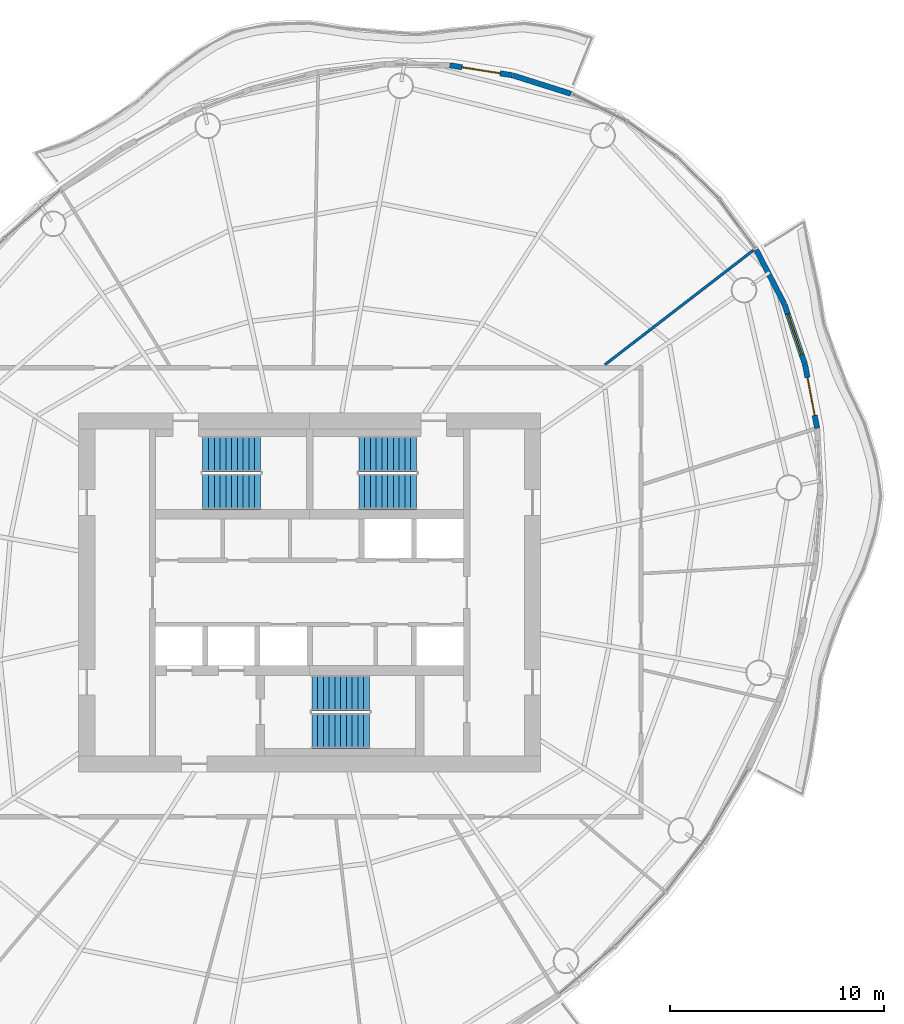
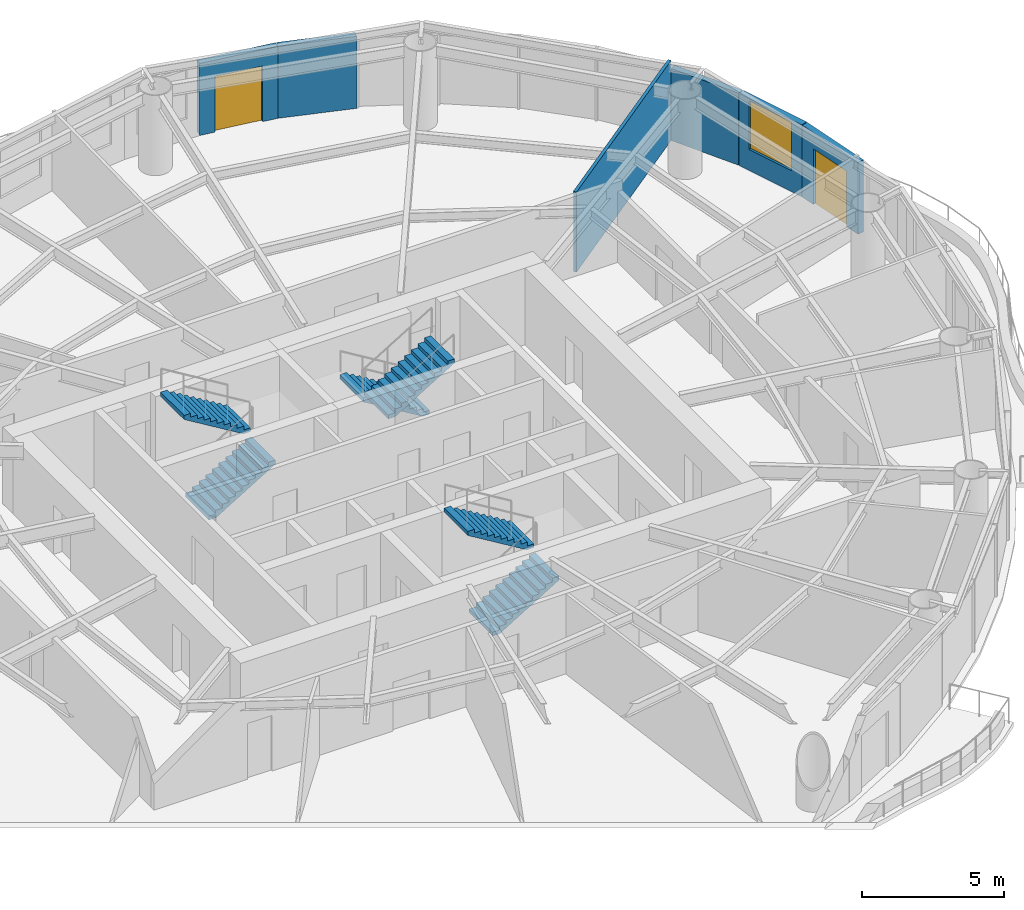
# One storey, part 11 of 14: 6 stair flights, 6 walls, 2 doors, 1 window, 3 openings, 3 elements without a shape of their own.
"""IFC4 building model written with IfcOpenShell, lengths in metres."""

from ifc_helpers import new_model, si_unit, direction, frame, frame_2d, origin, place, context, subcontext, project, spatial, polyline, rectangle, outline, extrude, material, layer, layer_set, type_object, element, fill, aggregate, save


model = new_model("IFC4")

# Units and contexts
model_context = context("Model", 3, precision=1e-05, world=origin(), true_north=direction((0.0, 1.0)))
body_context = subcontext(model_context, "Body", "Model", "MODEL_VIEW")
ifc_project = project(units=[si_unit("LENGTHUNIT", "METRE"), si_unit("AREAUNIT", "SQUARE_METRE"), si_unit("VOLUMEUNIT", "CUBIC_METRE"), si_unit("PLANEANGLEUNIT", "RADIAN"), si_unit("MASSUNIT", "GRAM", prefix="KILO")], contexts=[model_context])

# Site, building, storey
site_placement = place(None, origin())
site = spatial("IfcSite", under=ifc_project, at=site_placement, CompositionType="ELEMENT")
building_placement = place(site_placement, origin())
building = spatial("IfcBuilding", under=site, at=building_placement, Name="Vermilion Reach Broadcast Tower", CompositionType="ELEMENT")
storey_placement = place(building_placement, frame((0.0, 0.0, 231.699951171875)))
storey = spatial("IfcBuildingStorey", under=building, at=storey_placement, Name="L57", CompositionType="ELEMENT", Elevation=231.699951171875)

# Walls
ifc_material_1 = material(Name="Fire-rated plasterboard on steel stud", Category="steel")
ifc_layer_1 = layer(ifc_material_1, 0.125)
ifc_layer_set_1 = layer_set([ifc_layer_1], Name="Partition 125 fire-rated stud")
wall_type_1 = type_object("IfcWallType", Name="Partition 125 fire-rated stud", PredefinedType="PARTITIONING", material=ifc_layer_set_1)
wall_1_placement = place(storey_placement, frame((14.75927734375, 16.00341796875, 0.0), z_axis=(0.0, 0.0, 1.0), x_axis=(-0.791981870626, -0.61054460656, 0.0)))
element("IfcWall", 1, at=wall_1_placement, inside=storey, type_object=wall_type_1, Name="Partition 57.14", PredefinedType="PARTITIONING", context=body_context, shape_type="SweptSolid", body=[
    extrude(rectangle(XDim=8.769287109375, YDim=0.125, at=frame_2d((4.384765625, 0.0))), origin(), (0.0, 0.0, 1.0), 3.449951171875),
])
ifc_material_2 = material(Name="Terracotta rainscreen cladding", Category="masonry")
ifc_layer_2 = layer(ifc_material_2, 0.25)
ifc_layer_set_2 = layer_set([ifc_layer_2], Name="Terracotta rainscreen wall 250")
wall_type_2 = type_object("IfcWallType", Name="Terracotta rainscreen wall 250", PredefinedType="SOLIDWALL", material=ifc_layer_set_2)
wall_2_placement = place(storey_placement, frame((6.214599609375, 23.3212890625, 0.0), z_axis=(0.0, 0.0, 1.0), x_axis=(-0.953313818487, 0.301981395918, 0.0)))
element("IfcWall", 2, at=wall_2_placement, inside=storey, type_object=wall_type_2, Name="External wall L57 02", PredefinedType="SOLIDWALL", context=body_context, shape_type="SweptSolid", body=[
    extrude(rectangle(XDim=2.844970703125, YDim=0.25, at=frame_2d((1.42236328125, 0.0))), origin(), (0.0, 0.0, 1.0), 3.10009765625),
])

# Wall, opening, door
wall_3_placement = place(storey_placement, frame((3.4765625, 24.1865234375, 0.0), z_axis=(0.0, 0.0, 1.0), x_axis=(-0.987576514549, 0.157138880968, 0.0)))
wall_3 = element("IfcWall", 3, at=wall_3_placement, inside=storey, type_object=wall_type_2, Name="External wall L57 03", PredefinedType="SOLIDWALL", context=body_context, shape_type="SweptSolid", body=[
    extrude(rectangle(XDim=2.951904296875, YDim=0.25, at=frame_2d((1.47607421875, 0.0))), origin(), (0.0, 0.0, 1.0), 3.10009765625),
])
opening_1_placement = place(wall_3_placement, frame((0.575927734375, 0.0, 0.0)))
opening_1 = element("IfcOpeningElement", 4, at=opening_1_placement, cuts=wall_3, Name="Opening D70", PredefinedType="OPENING", context=body_context, shape_type="SweptSolid", body=[
    extrude(rectangle(XDim=1.800048828125, YDim=2.39990234375, at=frame_2d((0.89990234375, 1.199951171875))), frame((0.0, 0.135009765625, 0.0), z_axis=(0.0, -1.0, 0.0), x_axis=(1.0, 0.0, 0.0)), (0.0, 0.0, 1.0), 0.27001953125),
])
ifc_material_3 = material(Name="Low-e laminated clear glass in aluminium frame", Category="aluminium")
door_type = type_object("IfcDoorType", Name="Balcony sliding door 1800 x 2400", OperationType="DOUBLE_DOOR_SLIDING", PredefinedType="DOOR", material=ifc_material_3)
door_1_placement = place(opening_1_placement, origin())
door_1 = element("IfcDoor", 5, at=door_1_placement, inside=storey, type_object=door_type, Name="Balcony door L57 run 01", OperationType="DOUBLE_DOOR_SLIDING", OverallHeight=2.39990234375, OverallWidth=1.800048828125, PredefinedType="DOOR", context=body_context, shape_type="SweptSolid", body=[
    extrude(rectangle(XDim=1.800048828125, YDim=2.39990234375, at=frame_2d((0.89990234375, 1.199951171875))), frame((0.0, 0.02490234375, 0.0), z_axis=(0.0, -1.0, 0.0), x_axis=(1.0, 0.0, 0.0)), (0.0, 0.0, 1.0), 0.050048828125),
])
fill(opening_1, door_1)

wall_4_placement = place(storey_placement, frame((17.737060546875, 7.67529296875, 0.0), z_axis=(0.0, 0.0, 1.0), x_axis=(-0.186112401934, 0.982528459561, 0.0)))
wall_4 = element("IfcWall", 6, at=wall_4_placement, inside=storey, type_object=wall_type_2, Name="External wall L57 43", PredefinedType="SOLIDWALL", context=body_context, shape_type="SweptSolid", body=[
    extrude(rectangle(XDim=3.0302734375, YDim=0.25, at=frame_2d((1.51513671875, 0.0))), origin(), (0.0, 0.0, 1.0), 3.10009765625),
])
opening_2_placement = place(wall_4_placement, frame((0.614990234375, 0.0, 0.0)))
opening_2 = element("IfcOpeningElement", 7, at=opening_2_placement, cuts=wall_4, Name="Opening D70", PredefinedType="OPENING", context=body_context, shape_type="SweptSolid", body=[
    extrude(rectangle(XDim=1.800048828125, YDim=2.39990234375, at=frame_2d((0.89990234375, 1.199951171875))), frame((0.0, 0.135009765625, 0.0), z_axis=(0.0, -1.0, 0.0), x_axis=(1.0, 0.0, 0.0)), (0.0, 0.0, 1.0), 0.27001953125),
])
door_2_placement = place(opening_2_placement, origin())
door_2 = element("IfcDoor", 8, at=door_2_placement, inside=storey, type_object=door_type, Name="Balcony door L57 run 11", OperationType="DOUBLE_DOOR_SLIDING", OverallHeight=2.39990234375, OverallWidth=1.800048828125, PredefinedType="DOOR", context=body_context, shape_type="SweptSolid", body=[
    extrude(rectangle(XDim=1.800048828125, YDim=2.39990234375, at=frame_2d((0.89990234375, 1.199951171875))), frame((0.0, 0.02490234375, 0.0), z_axis=(0.0, -1.0, 0.0), x_axis=(1.0, 0.0, 0.0)), (0.0, 0.0, 1.0), 0.050048828125),
])
fill(opening_2, door_2)

# Wall, opening, window
wall_5_placement = place(storey_placement, frame((17.16650390625, 10.677490234375, 0.0), z_axis=(0.0, 0.0, 1.0), x_axis=(-0.32363701793, 0.946181314879, 0.0)))
wall_5 = element("IfcWall", 9, at=wall_5_placement, inside=storey, type_object=wall_type_2, Name="External wall L57 44", PredefinedType="SOLIDWALL", context=body_context, shape_type="SweptSolid", body=[
    extrude(rectangle(XDim=2.951904296875, YDim=0.25, at=frame_2d((1.47607421875, 0.0))), origin(), (0.0, 0.0, 1.0), 3.10009765625),
])
opening_3_placement = place(wall_5_placement, frame((0.47607421875, 0.0, 0.89990234375)))
opening_3 = element("IfcOpeningElement", 10, at=opening_3_placement, cuts=wall_5, Name="Opening W03", PredefinedType="OPENING", context=body_context, shape_type="SweptSolid", body=[
    extrude(rectangle(XDim=2.0, YDim=2.10009765625, at=frame_2d((1.0, 1.050048828125))), frame((0.0, 0.135009765625, 0.0), z_axis=(0.0, -1.0, 0.0), x_axis=(1.0, 0.0, 0.0)), (0.0, 0.0, 1.0), 0.27001953125),
])
ifc_material_4 = material(Name="Low-e laminated clear glass in aluminium frame", Category="aluminium")
window_type = type_object("IfcWindowType", Name="Punched window 2000 x 2100 sill 900", PartitioningType="SINGLE_PANEL", PredefinedType="WINDOW", material=ifc_material_4)
window_placement = place(opening_3_placement, origin())
window = element("IfcWindow", 11, at=window_placement, inside=storey, type_object=window_type, Name="Window L57 44", OverallHeight=2.10009765625, OverallWidth=2.0, PartitioningType="SINGLE_PANEL", PredefinedType="WINDOW", context=body_context, shape_type="SweptSolid", body=[
    extrude(rectangle(XDim=2.0, YDim=2.10009765625, at=frame_2d((1.0, 1.050048828125))), frame((0.0, 0.030029296875, 0.0), z_axis=(0.0, -1.0, 0.0), x_axis=(1.0, 0.0, 0.0)), (0.0, 0.0, 1.0), 0.06005859375),
])
fill(opening_3, window)

# Wall
wall_6_placement = place(storey_placement, frame((16.200927734375, 13.494873046875, 0.0), z_axis=(0.0, 0.0, 1.0), x_axis=(-0.460447402604, 0.887686988434, 0.0)))
element("IfcWall", 12, at=wall_6_placement, inside=storey, type_object=wall_type_2, Name="External wall L57 45", PredefinedType="SOLIDWALL", context=body_context, shape_type="SweptSolid", body=[
    extrude(rectangle(XDim=2.84521484375, YDim=0.25, at=frame_2d((1.422607421875, 0.0))), origin(), (0.0, 0.0, 1.0), 3.10009765625),
])

# Stair, stair flights
ifc_material_5 = material(Name="Concrete C40", Category="concrete")
stair_type = type_object("IfcStairType", Name="Exit stair RC 22 risers 164 mm", PredefinedType="HALF_TURN_STAIR", material=ifc_material_5)
placement = place(storey_placement, origin())
stair_1 = element("IfcStair", 13, at=placement, inside=storey, type_object=stair_type, Name="L57 Exit stair ST1", PredefinedType="HALF_TURN_STAIR")
ifc_material_6 = material(Name="Concrete C40", Category="concrete")
stair_flight_type = type_object("IfcStairFlightType", Name="Exit stair flight RC 11 risers", PredefinedType="STRAIGHT", material=ifc_material_6)
stair_flight_1_placement = place(storey_placement, frame((-11.0, 4.7099609375, 0.0), z_axis=(0.0, 0.0, 1.0), x_axis=(1.0, 0.0, 0.0)))
stair_flight_1 = element("IfcStairFlight", 14, at=stair_flight_1_placement, type_object=stair_flight_type, Name="ST1 flight 1", NumberOfRisers=11, NumberOfTreads=10, PredefinedType="STRAIGHT", RiserHeight=0.163636364, TreadLength=0.27, context=body_context, shape_type="SweptSolid", body=[
    extrude(outline(polyline([(0.0, 0.0), (0.0, 0.16357421875), (0.27001953125, 0.16357421875), (0.27001953125, 0.327392578125), (0.5400390625, 0.327392578125), (0.5400390625, 0.490966796875), (0.81005859375, 0.490966796875), (0.81005859375, 0.654541015625), (1.080078125, 0.654541015625), (1.080078125, 0.818115234375), (1.35009765625, 0.818115234375), (1.35009765625, 0.98193359375), (1.6201171875, 0.98193359375), (1.6201171875, 1.1455078125), (1.889892578125, 1.1455078125), (1.889892578125, 1.30908203125), (2.159912109375, 1.30908203125), (2.159912109375, 1.47265625), (2.429931640625, 1.47265625), (2.429931640625, 1.636474609375), (2.699951171875, 1.636474609375), (2.699951171875, 1.800048828125), (2.699951171875, 1.461181640625), (0.289306640625, 0.0), (0.0, 0.0)])), frame((0.0, 0.830078125, 0.0), z_axis=(0.0, -1.0, 0.0), x_axis=(1.0, 0.0, 0.0)), (0.0, 0.0, 1.0), 1.659912109375),
])
stair_flight_2_placement = place(storey_placement, frame((-8.300048828125, 6.469970703125, 1.800048828125), z_axis=(0.0, 0.0, 1.0), x_axis=(-1.0, 0.0, 0.0)))
stair_flight_2 = element("IfcStairFlight", 15, at=stair_flight_2_placement, type_object=stair_flight_type, Name="ST1 flight 2", NumberOfRisers=11, NumberOfTreads=10, PredefinedType="STRAIGHT", RiserHeight=0.163636364, TreadLength=0.27, context=body_context, shape_type="SweptSolid", body=[
    extrude(outline(polyline([(0.0, 0.0), (0.0, 0.16357421875), (0.27001953125, 0.16357421875), (0.27001953125, 0.327392578125), (0.5400390625, 0.327392578125), (0.5400390625, 0.490966796875), (0.81005859375, 0.490966796875), (0.81005859375, 0.654541015625), (1.080078125, 0.654541015625), (1.080078125, 0.818115234375), (1.35009765625, 0.818115234375), (1.35009765625, 0.98193359375), (1.6201171875, 0.98193359375), (1.6201171875, 1.1455078125), (1.889892578125, 1.1455078125), (1.889892578125, 1.30908203125), (2.159912109375, 1.30908203125), (2.159912109375, 1.47265625), (2.429931640625, 1.47265625), (2.429931640625, 1.636474609375), (2.699951171875, 1.636474609375), (2.699951171875, 1.800048828125), (2.699951171875, 1.461181640625), (0.289306640625, 0.0), (0.0, 0.0)])), frame((0.0, 0.830078125, 0.0), z_axis=(0.0, -1.0, 0.0), x_axis=(1.0, 0.0, 0.0)), (0.0, 0.0, 1.0), 1.659912109375),
])
aggregate(stair_1, [stair_flight_1, stair_flight_2])

stair_2 = element("IfcStair", 16, at=placement, inside=storey, type_object=stair_type, Name="L57 Exit stair ST2", PredefinedType="HALF_TURN_STAIR")
stair_flight_3_placement = place(storey_placement, frame((-1.0, 6.469970703125, 0.0), z_axis=(0.0, 0.0, 1.0), x_axis=(-1.0, 0.0, 0.0)))
stair_flight_3 = element("IfcStairFlight", 17, at=stair_flight_3_placement, type_object=stair_flight_type, Name="ST2 flight 1", NumberOfRisers=11, NumberOfTreads=10, PredefinedType="STRAIGHT", RiserHeight=0.163636364, TreadLength=0.27, context=body_context, shape_type="SweptSolid", body=[
    extrude(outline(polyline([(0.0, 0.0), (0.0, 0.16357421875), (0.27001953125, 0.16357421875), (0.27001953125, 0.327392578125), (0.5400390625, 0.327392578125), (0.5400390625, 0.490966796875), (0.81005859375, 0.490966796875), (0.81005859375, 0.654541015625), (1.080078125, 0.654541015625), (1.080078125, 0.818115234375), (1.35009765625, 0.818115234375), (1.35009765625, 0.98193359375), (1.6201171875, 0.98193359375), (1.6201171875, 1.1455078125), (1.889892578125, 1.1455078125), (1.889892578125, 1.30908203125), (2.159912109375, 1.30908203125), (2.159912109375, 1.47265625), (2.429931640625, 1.47265625), (2.429931640625, 1.636474609375), (2.699951171875, 1.636474609375), (2.699951171875, 1.800048828125), (2.699951171875, 1.461181640625), (0.289306640625, 0.0), (0.0, 0.0)])), frame((0.0, 0.830078125, 0.0), z_axis=(0.0, -1.0, 0.0), x_axis=(1.0, 0.0, 0.0)), (0.0, 0.0, 1.0), 1.659912109375),
])
stair_flight_4_placement = place(storey_placement, frame((-3.699951171875, 4.7099609375, 1.800048828125), z_axis=(0.0, 0.0, 1.0), x_axis=(1.0, 0.0, 0.0)))
stair_flight_4 = element("IfcStairFlight", 18, at=stair_flight_4_placement, type_object=stair_flight_type, Name="ST2 flight 2", NumberOfRisers=11, NumberOfTreads=10, PredefinedType="STRAIGHT", RiserHeight=0.163636364, TreadLength=0.27, context=body_context, shape_type="SweptSolid", body=[
    extrude(outline(polyline([(0.0, 0.0), (0.0, 0.16357421875), (0.27001953125, 0.16357421875), (0.27001953125, 0.327392578125), (0.5400390625, 0.327392578125), (0.5400390625, 0.490966796875), (0.81005859375, 0.490966796875), (0.81005859375, 0.654541015625), (1.080078125, 0.654541015625), (1.080078125, 0.818115234375), (1.35009765625, 0.818115234375), (1.35009765625, 0.98193359375), (1.6201171875, 0.98193359375), (1.6201171875, 1.1455078125), (1.889892578125, 1.1455078125), (1.889892578125, 1.30908203125), (2.159912109375, 1.30908203125), (2.159912109375, 1.47265625), (2.429931640625, 1.47265625), (2.429931640625, 1.636474609375), (2.699951171875, 1.636474609375), (2.699951171875, 1.800048828125), (2.699951171875, 1.461181640625), (0.289306640625, 0.0), (0.0, 0.0)])), frame((0.0, 0.830078125, 0.0), z_axis=(0.0, -1.0, 0.0), x_axis=(1.0, 0.0, 0.0)), (0.0, 0.0, 1.0), 1.659912109375),
])
aggregate(stair_2, [stair_flight_3, stair_flight_4])

stair_3 = element("IfcStair", 19, at=placement, inside=storey, type_object=stair_type, Name="L57 Exit stair ST3", PredefinedType="HALF_TURN_STAIR")
stair_flight_5_placement = place(storey_placement, frame((-5.89990234375, -6.469970703125, 0.0), z_axis=(0.0, 0.0, 1.0), x_axis=(1.0, 0.0, 0.0)))
stair_flight_5 = element("IfcStairFlight", 20, at=stair_flight_5_placement, type_object=stair_flight_type, Name="ST3 flight 1", NumberOfRisers=11, NumberOfTreads=10, PredefinedType="STRAIGHT", RiserHeight=0.163636364, TreadLength=0.27, context=body_context, shape_type="SweptSolid", body=[
    extrude(outline(polyline([(0.0, 0.0), (0.0, 0.16357421875), (0.27001953125, 0.16357421875), (0.27001953125, 0.327392578125), (0.5400390625, 0.327392578125), (0.5400390625, 0.490966796875), (0.81005859375, 0.490966796875), (0.81005859375, 0.654541015625), (1.080078125, 0.654541015625), (1.080078125, 0.818115234375), (1.35009765625, 0.818115234375), (1.35009765625, 0.98193359375), (1.6201171875, 0.98193359375), (1.6201171875, 1.1455078125), (1.889892578125, 1.1455078125), (1.889892578125, 1.30908203125), (2.159912109375, 1.30908203125), (2.159912109375, 1.47265625), (2.429931640625, 1.47265625), (2.429931640625, 1.636474609375), (2.699951171875, 1.636474609375), (2.699951171875, 1.800048828125), (2.699951171875, 1.461181640625), (0.289306640625, 0.0), (0.0, 0.0)])), frame((0.0, 0.830078125, 0.0), z_axis=(0.0, -1.0, 0.0), x_axis=(1.0, 0.0, 0.0)), (0.0, 0.0, 1.0), 1.659912109375),
])
stair_flight_6_placement = place(storey_placement, frame((-3.199951171875, -4.7099609375, 1.800048828125), z_axis=(0.0, 0.0, 1.0), x_axis=(-1.0, 0.0, 0.0)))
stair_flight_6 = element("IfcStairFlight", 21, at=stair_flight_6_placement, type_object=stair_flight_type, Name="ST3 flight 2", NumberOfRisers=11, NumberOfTreads=10, PredefinedType="STRAIGHT", RiserHeight=0.163636364, TreadLength=0.27, context=body_context, shape_type="SweptSolid", body=[
    extrude(outline(polyline([(0.0, 0.0), (0.0, 0.16357421875), (0.27001953125, 0.16357421875), (0.27001953125, 0.327392578125), (0.5400390625, 0.327392578125), (0.5400390625, 0.490966796875), (0.81005859375, 0.490966796875), (0.81005859375, 0.654541015625), (1.080078125, 0.654541015625), (1.080078125, 0.818115234375), (1.35009765625, 0.818115234375), (1.35009765625, 0.98193359375), (1.6201171875, 0.98193359375), (1.6201171875, 1.1455078125), (1.889892578125, 1.1455078125), (1.889892578125, 1.30908203125), (2.159912109375, 1.30908203125), (2.159912109375, 1.47265625), (2.429931640625, 1.47265625), (2.429931640625, 1.636474609375), (2.699951171875, 1.636474609375), (2.699951171875, 1.800048828125), (2.699951171875, 1.461181640625), (0.289306640625, 0.0), (0.0, 0.0)])), frame((0.0, 0.830078125, 0.0), z_axis=(0.0, -1.0, 0.0), x_axis=(1.0, 0.0, 0.0)), (0.0, 0.0, 1.0), 1.659912109375),
])
aggregate(stair_3, [stair_flight_5, stair_flight_6])

save(model, "model.ifc")
